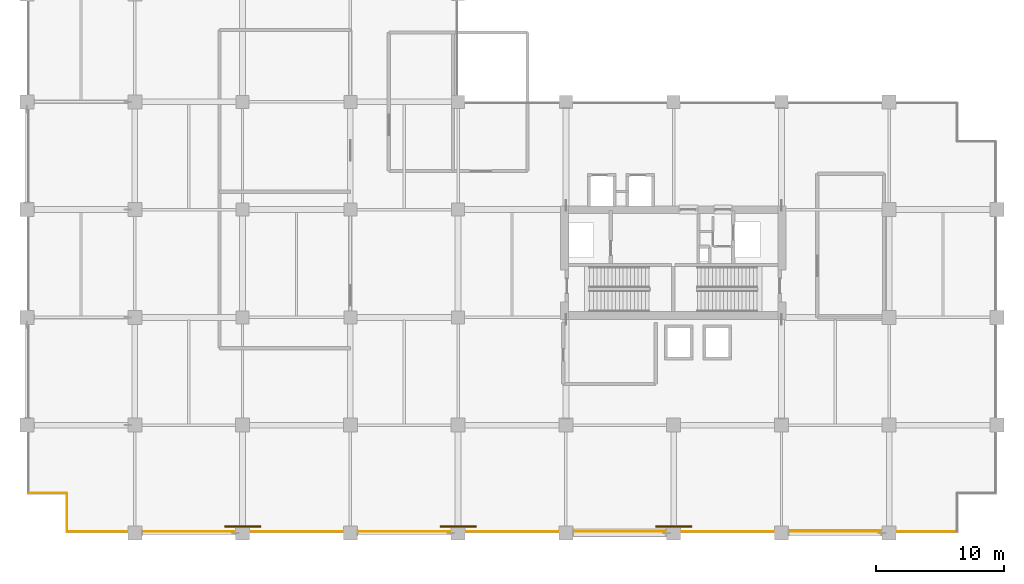
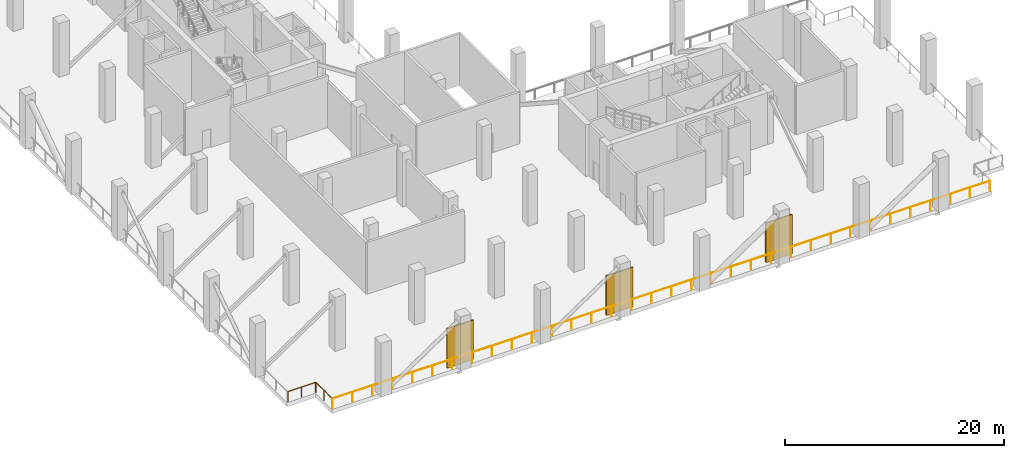
# One storey, part 14 of 18: 3 railings, 3 shading devices.
"""IFC4 building model written with IfcOpenShell, lengths in metres."""

from ifc_helpers import new_model, si_unit, direction, frame, origin, origin_2d, place, context, subcontext, project, spatial, rectangle, circle, extrude, material, layer, layer_set, type_object, element, save


model = new_model("IFC4")

# Units and contexts
model_context = context("Model", 3, precision=1e-05, world=origin(), true_north=direction((0.0, 1.0)))
body_context = subcontext(model_context, "Body", "Model", "MODEL_VIEW")
ifc_project = project(units=[si_unit("LENGTHUNIT", "METRE"), si_unit("AREAUNIT", "SQUARE_METRE"), si_unit("VOLUMEUNIT", "CUBIC_METRE"), si_unit("PLANEANGLEUNIT", "RADIAN"), si_unit("MASSUNIT", "GRAM", prefix="KILO")], contexts=[model_context])

# Site, building, storey
site_placement = place(None, origin())
site = spatial("IfcSite", under=ifc_project, at=site_placement, CompositionType="ELEMENT")
building_placement = place(site_placement, origin())
building = spatial("IfcBuilding", under=site, at=building_placement, Name="Koriwani Terraces Tower", CompositionType="ELEMENT")
storey_placement = place(building_placement, frame((0.0, 0.0, 228.199951171875)))
storey = spatial("IfcBuildingStorey", under=building, at=storey_placement, Name="L56", CompositionType="ELEMENT", Elevation=228.199951171875)

# Railings
ifc_material_1 = material(Name="Steel ASTM A572 Grade 50", Category="steel")
railing_type = type_object("IfcRailingType", Name="GUARD_BALUSTRADE_1150", PredefinedType="BALUSTRADE", material=ifc_material_1)
railing_1_placement = place(storey_placement, frame((3.10009765625, 0.135009765625, 0.0)))
element("IfcRailing", 1, at=railing_1_placement, inside=storey, type_object=railing_type, Name="L56 Open Wind Floor Perimeter Balustrade Segment 1", PredefinedType="BALUSTRADE", context=body_context, shape_type="SweptSolid", body=[
    extrude(circle(Radius=0.02490234375, at=origin_2d()), frame((0.0, 0.0, 1.125), z_axis=(0.0, 1.0, 0.0), x_axis=(-1.0, 0.0, 0.0)), (0.0, 0.0, 1.0), 2.929931640625),
    extrude(circle(Radius=0.0224609375, at=origin_2d()), origin(), (0.0, 0.0, 1.0), 1.099853515625),
    extrude(circle(Radius=0.0224609375, at=origin_2d()), frame((0.0, 1.46484375, 0.0)), (0.0, 0.0, 1.0), 1.099853515625),
    extrude(circle(Radius=0.0224609375, at=origin_2d()), frame((0.0, 2.929931640625, 0.0)), (0.0, 0.0, 1.0), 1.099853515625),
])
railing_2_placement = place(storey_placement, frame((3.06494140625, 3.10009765625, 0.0)))
element("IfcRailing", 2, at=railing_2_placement, inside=storey, type_object=railing_type, Name="L56 Open Wind Floor Perimeter Balustrade Segment 2", PredefinedType="BALUSTRADE", context=body_context, shape_type="SweptSolid", body=[
    extrude(circle(Radius=0.02490234375, at=origin_2d()), frame((0.0, 0.0, 1.125), z_axis=(-1.0, 0.0, 0.0), x_axis=(0.0, -1.0, 0.0)), (0.0, 0.0, 1.0), 2.929931640625),
    extrude(circle(Radius=0.0224609375, at=origin_2d()), origin(), (0.0, 0.0, 1.0), 1.099853515625),
    extrude(circle(Radius=0.0224609375, at=origin_2d()), frame((-1.46484375, 0.0, 0.0)), (0.0, 0.0, 1.0), 1.099853515625),
    extrude(circle(Radius=0.0224609375, at=origin_2d()), frame((-2.929931640625, 0.0, 0.0)), (0.0, 0.0, 1.0), 1.099853515625),
])
railing_3_placement = place(storey_placement, frame((72.465087890625, 0.10009765625, 0.0)))
element("IfcRailing", 3, at=railing_3_placement, inside=storey, type_object=railing_type, Name="L56 Open Wind Floor Perimeter Balustrade Segment 16", PredefinedType="BALUSTRADE", context=body_context, shape_type="SweptSolid", body=[
    extrude(circle(Radius=0.02490234375, at=origin_2d()), frame((0.0, 0.0, 1.125), z_axis=(-1.0, 0.0, 0.0), x_axis=(0.0, -1.0, 0.0)), (0.0, 0.0, 1.0), 69.330078125),
    extrude(circle(Radius=0.0224609375, at=origin_2d()), origin(), (0.0, 0.0, 1.0), 1.099853515625),
    extrude(circle(Radius=0.0224609375, at=origin_2d()), frame((-2.100830078125, 0.0, 0.0)), (0.0, 0.0, 1.0), 1.099853515625),
    extrude(circle(Radius=0.0224609375, at=origin_2d()), frame((-4.201904296875, 0.0, 0.0)), (0.0, 0.0, 1.0), 1.099853515625),
    extrude(circle(Radius=0.0224609375, at=origin_2d()), frame((-6.302734375, 0.0, 0.0)), (0.0, 0.0, 1.0), 1.099853515625),
    extrude(circle(Radius=0.0224609375, at=origin_2d()), frame((-8.403564453125, 0.0, 0.0)), (0.0, 0.0, 1.0), 1.099853515625),
    extrude(circle(Radius=0.0224609375, at=origin_2d()), frame((-10.504638671875, 0.0, 0.0)), (0.0, 0.0, 1.0), 1.099853515625),
    extrude(circle(Radius=0.0224609375, at=origin_2d()), frame((-12.60546875, 0.0, 0.0)), (0.0, 0.0, 1.0), 1.099853515625),
    extrude(circle(Radius=0.0224609375, at=origin_2d()), frame((-14.706298828125, 0.0, 0.0)), (0.0, 0.0, 1.0), 1.099853515625),
    extrude(circle(Radius=0.0224609375, at=origin_2d()), frame((-16.807373046875, 0.0, 0.0)), (0.0, 0.0, 1.0), 1.099853515625),
    extrude(circle(Radius=0.0224609375, at=origin_2d()), frame((-18.908203125, 0.0, 0.0)), (0.0, 0.0, 1.0), 1.099853515625),
    extrude(circle(Radius=0.0224609375, at=origin_2d()), frame((-21.009033203125, 0.0, 0.0)), (0.0, 0.0, 1.0), 1.099853515625),
    extrude(circle(Radius=0.0224609375, at=origin_2d()), frame((-23.110107421875, 0.0, 0.0)), (0.0, 0.0, 1.0), 1.099853515625),
    extrude(circle(Radius=0.0224609375, at=origin_2d()), frame((-25.2109375, 0.0, 0.0)), (0.0, 0.0, 1.0), 1.099853515625),
    extrude(circle(Radius=0.0224609375, at=origin_2d()), frame((-27.311767578125, 0.0, 0.0)), (0.0, 0.0, 1.0), 1.099853515625),
    extrude(circle(Radius=0.0224609375, at=origin_2d()), frame((-29.412841796875, 0.0, 0.0)), (0.0, 0.0, 1.0), 1.099853515625),
    extrude(circle(Radius=0.0224609375, at=origin_2d()), frame((-31.513671875, 0.0, 0.0)), (0.0, 0.0, 1.0), 1.099853515625),
    extrude(circle(Radius=0.0224609375, at=origin_2d()), frame((-33.614501953125, 0.0, 0.0)), (0.0, 0.0, 1.0), 1.099853515625),
    extrude(circle(Radius=0.0224609375, at=origin_2d()), frame((-35.715576171875, 0.0, 0.0)), (0.0, 0.0, 1.0), 1.099853515625),
    extrude(circle(Radius=0.0224609375, at=origin_2d()), frame((-37.81640625, 0.0, 0.0)), (0.0, 0.0, 1.0), 1.099853515625),
    extrude(circle(Radius=0.0224609375, at=origin_2d()), frame((-39.917236328125, 0.0, 0.0)), (0.0, 0.0, 1.0), 1.099853515625),
    extrude(circle(Radius=0.0224609375, at=origin_2d()), frame((-42.018310546875, 0.0, 0.0)), (0.0, 0.0, 1.0), 1.099853515625),
    extrude(circle(Radius=0.0224609375, at=origin_2d()), frame((-44.119140625, 0.0, 0.0)), (0.0, 0.0, 1.0), 1.099853515625),
    extrude(circle(Radius=0.0224609375, at=origin_2d()), frame((-46.219970703125, 0.0, 0.0)), (0.0, 0.0, 1.0), 1.099853515625),
    extrude(circle(Radius=0.0224609375, at=origin_2d()), frame((-48.321044921875, 0.0, 0.0)), (0.0, 0.0, 1.0), 1.099853515625),
    extrude(circle(Radius=0.0224609375, at=origin_2d()), frame((-50.421875, 0.0, 0.0)), (0.0, 0.0, 1.0), 1.099853515625),
    extrude(circle(Radius=0.0224609375, at=origin_2d()), frame((-52.522705078125, 0.0, 0.0)), (0.0, 0.0, 1.0), 1.099853515625),
    extrude(circle(Radius=0.0224609375, at=origin_2d()), frame((-54.623779296875, 0.0, 0.0)), (0.0, 0.0, 1.0), 1.099853515625),
    extrude(circle(Radius=0.0224609375, at=origin_2d()), frame((-56.724609375, 0.0, 0.0)), (0.0, 0.0, 1.0), 1.099853515625),
    extrude(circle(Radius=0.0224609375, at=origin_2d()), frame((-58.825439453125, 0.0, 0.0)), (0.0, 0.0, 1.0), 1.099853515625),
    extrude(circle(Radius=0.0224609375, at=origin_2d()), frame((-60.926513671875, 0.0, 0.0)), (0.0, 0.0, 1.0), 1.099853515625),
    extrude(circle(Radius=0.0224609375, at=origin_2d()), frame((-63.02734375, 0.0, 0.0)), (0.0, 0.0, 1.0), 1.099853515625),
    extrude(circle(Radius=0.0224609375, at=origin_2d()), frame((-65.128173828125, 0.0, 0.0)), (0.0, 0.0, 1.0), 1.099853515625),
    extrude(circle(Radius=0.0224609375, at=origin_2d()), frame((-67.229248046875, 0.0, 0.0)), (0.0, 0.0, 1.0), 1.099853515625),
    extrude(circle(Radius=0.0224609375, at=origin_2d()), frame((-69.330078125, 0.0, 0.0)), (0.0, 0.0, 1.0), 1.099853515625),
])

# Shading devices
ifc_material_2 = material(Name="Extruded Terracotta Clay", Category="masonry")
ifc_layer = layer(ifc_material_2, 0.1201171875, Name="Extruded Terracotta Clay")
ifc_layer_set = layer_set([ifc_layer], Name="Extruded Terracotta Clay")
shading_device_type = type_object("IfcShadingDeviceType", Name="TERRACOTTA_BAGUETTE_SCREEN_2800", PredefinedType="USERDEFINED", material=ifc_layer_set)
for number, where, z_axis, x_axis, name in (
    (4, (16.800048828125, 0.5, 0.0), (0.0, 0.0, 1.0), (1.0, 0.0, 0.0), "L56 Aerodynamic Wind-Baffle Terracotta Screen 1"),
    (5, (33.60009765625, 0.5, 0.0), (0.0, 0.0, 1.0), (1.0, 0.0, 0.0), "L56 Aerodynamic Wind-Baffle Terracotta Screen 2"),
    (6, (50.39990234375, 0.5, 0.0), (0.0, 0.0, 1.0), (1.0, 0.0, 0.0), "L56 Aerodynamic Wind-Baffle Terracotta Screen 3"),
):
    element("IfcShadingDevice", number, at=place(storey_placement, frame(where, z_axis=z_axis, x_axis=x_axis)), inside=storey, type_object=shading_device_type, Name=name, ObjectType="BAGUETTE", PredefinedType="USERDEFINED", context=body_context, shape_type="SweptSolid", body=[
        extrude(rectangle(XDim=2.800048828125, YDim=0.139892578125, at=origin_2d()), origin(), (0.0, 0.0, 1.0), 4.39990234375),
    ])

save(model, "model.ifc")
